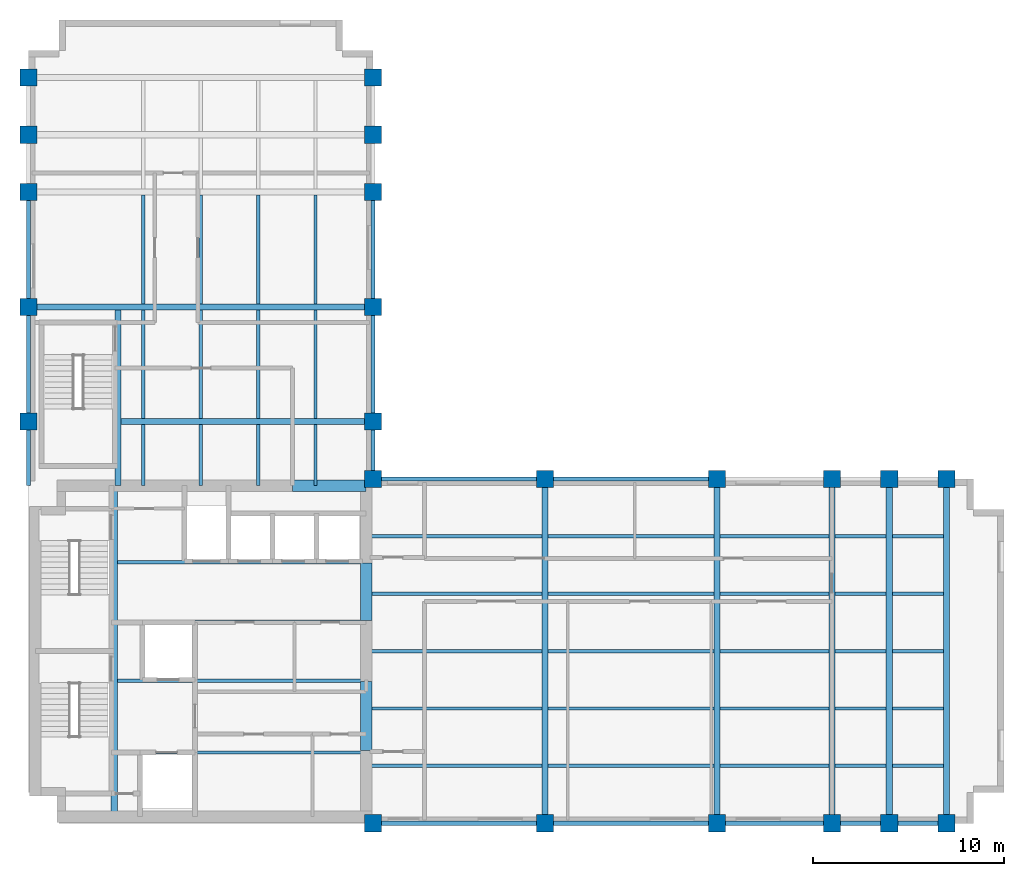
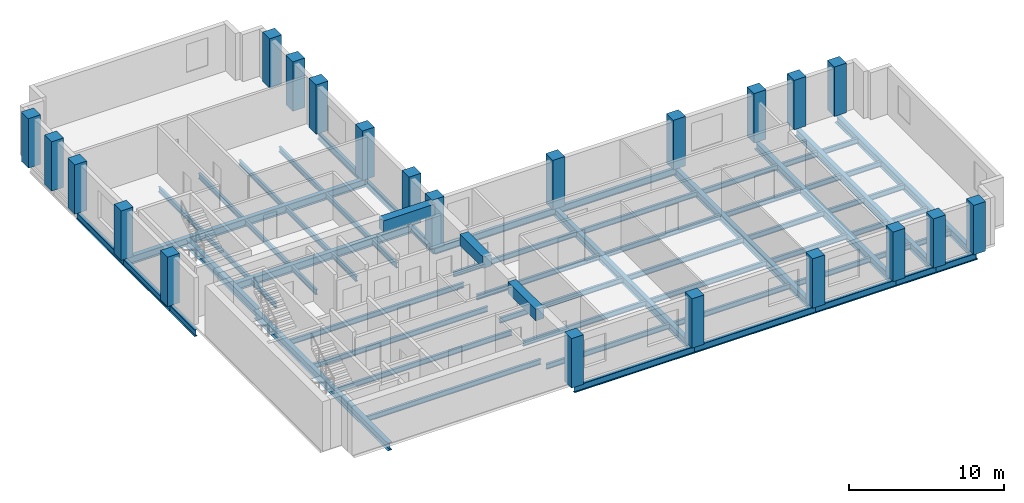
# One storey, part 1 of 6: 66 beams, 22 columns.
"""IFC4 building model written with IfcOpenShell, lengths in metres."""

from ifc_helpers import new_model, si_unit, direction, frame, origin, origin_2d, place, context, subcontext, project, spatial, rectangle, i_section, extrude, material, material_profile, profile_set, type_object, element, save


model = new_model("IFC4")

# Units and contexts
model_context = context("Model", 3, precision=1e-05, world=origin(), true_north=direction((0.0, 1.0)))
body_context = subcontext(model_context, "Body", "Model", "MODEL_VIEW")
ifc_project = project(units=[si_unit("LENGTHUNIT", "METRE"), si_unit("AREAUNIT", "SQUARE_METRE"), si_unit("VOLUMEUNIT", "CUBIC_METRE"), si_unit("PLANEANGLEUNIT", "RADIAN"), si_unit("MASSUNIT", "GRAM", prefix="KILO")], contexts=[model_context])

# Site, building, storey
site_placement = place(None, origin())
site = spatial("IfcSite", under=ifc_project, at=site_placement, CompositionType="ELEMENT")
building_placement = place(site_placement, origin())
building = spatial("IfcBuilding", under=site, at=building_placement, Name="Mawjdan Bourse Tower", CompositionType="ELEMENT")
storey_placement = place(building_placement, frame((0.0, 0.0, 180.0)))
storey = spatial("IfcBuildingStorey", under=building, at=storey_placement, Name="L43", CompositionType="ELEMENT", Elevation=180.0)

# Columns
ifc_material_1 = material(Name="Concrete C70/85", Category="concrete")
ifc_material_profile_1 = material_profile(ifc_material_1, rectangle(XDim=0.89990234375, YDim=0.89990234375, at=origin_2d()), Name="RC900X900")
ifc_profile_set_1 = profile_set([ifc_material_profile_1], Name="Concrete C70/85")
column_type = type_object("IfcColumnType", Name="COL-RC900X900", PredefinedType="COLUMN", material=ifc_profile_set_1)
for number, where, z_axis, x_axis, name in (
    (1, (24.0, 3.0, 0.0), (0.0, 0.0, 1.0), (1.0, 0.0, 0.0), "L43 Structural Column C-X240-Y30"),
    (2, (24.0, 21.0, 0.0), (0.0, 0.0, 1.0), (1.0, 0.0, 0.0), "L43 Structural Column C-X240-Y210"),
    (3, (33.0, 3.0, 0.0), (0.0, 0.0, 1.0), (1.0, 0.0, 0.0), "L43 Structural Column C-X330-Y30"),
    (4, (33.0, 21.0, 0.0), (0.0, 0.0, 1.0), (1.0, 0.0, 0.0), "L43 Structural Column C-X330-Y210"),
    (5, (42.0, 3.0, 0.0), (0.0, 0.0, 1.0), (1.0, 0.0, 0.0), "L43 Structural Column C-X420-Y30"),
    (6, (42.0, 21.0, 0.0), (0.0, 0.0, 1.0), (1.0, 0.0, 0.0), "L43 Structural Column C-X420-Y210"),
    (7, (48.0, 3.0, 0.0), (0.0, 0.0, 1.0), (1.0, 0.0, 0.0), "L43 Structural Column C-X480-Y30"),
    (8, (48.0, 21.0, 0.0), (0.0, 0.0, 1.0), (1.0, 0.0, 0.0), "L43 Structural Column C-X480-Y210"),
    (9, (51.0, 3.0, 0.0), (0.0, 0.0, 1.0), (1.0, 0.0, 0.0), "L43 Structural Column C-X510-Y30"),
    (10, (51.0, 21.0, 0.0), (0.0, 0.0, 1.0), (1.0, 0.0, 0.0), "L43 Structural Column C-X510-Y210"),
    (11, (54.0, 3.0, 0.0), (0.0, 0.0, 1.0), (1.0, 0.0, 0.0), "L43 Structural Column C-X540-Y30"),
    (12, (54.0, 21.0, 0.0), (0.0, 0.0, 1.0), (1.0, 0.0, 0.0), "L43 Structural Column C-X540-Y210"),
    (13, (6.0, 24.0, 0.0), (0.0, 0.0, 1.0), (1.0, 0.0, 0.0), "L43 Structural Column C-X60-Y240"),
    (14, (24.0, 24.0, 0.0), (0.0, 0.0, 1.0), (1.0, 0.0, 0.0), "L43 Structural Column C-X240-Y240"),
    (15, (6.0, 30.0, 0.0), (0.0, 0.0, 1.0), (1.0, 0.0, 0.0), "L43 Structural Column C-X60-Y300"),
    (16, (24.0, 30.0, 0.0), (0.0, 0.0, 1.0), (1.0, 0.0, 0.0), "L43 Structural Column C-X240-Y300"),
    (17, (6.0, 36.0, 0.0), (0.0, 0.0, 1.0), (1.0, 0.0, 0.0), "L43 Structural Column C-X60-Y360"),
    (18, (24.0, 36.0, 0.0), (0.0, 0.0, 1.0), (1.0, 0.0, 0.0), "L43 Structural Column C-X240-Y360"),
    (19, (6.0, 39.0, 0.0), (0.0, 0.0, 1.0), (1.0, 0.0, 0.0), "L43 Structural Column C-X60-Y390"),
    (20, (24.0, 39.0, 0.0), (0.0, 0.0, 1.0), (1.0, 0.0, 0.0), "L43 Structural Column C-X240-Y390"),
    (21, (6.0, 42.0, 0.0), (0.0, 0.0, 1.0), (1.0, 0.0, 0.0), "L43 Structural Column C-X60-Y420"),
    (22, (24.0, 42.0, 0.0), (0.0, 0.0, 1.0), (1.0, 0.0, 0.0), "L43 Structural Column C-X240-Y420"),
):
    element("IfcColumn", number, at=place(storey_placement, frame(where, z_axis=z_axis, x_axis=x_axis)), inside=storey, type_object=column_type, Name=name, PredefinedType="COLUMN", context=body_context, shape_type="SweptSolid", body=[
        extrude(rectangle(XDim=0.89990234375, YDim=0.89990234375, at=origin_2d()), origin(), (0.0, 0.0, 1.0), 3.89990234375),
    ])

# Beams
ifc_material_2 = material(Name="Structural Steel S355", Category="steel")
ifc_material_profile_2 = material_profile(ifc_material_2, i_section(OverallWidth=0.324951171875, OverallDepth=0.616943359375, WebThickness=0.013916015625, FlangeThickness=0.021484375, FilletRadius=0.017333984375, at=origin_2d()), Name="W24X117")
ifc_profile_set_2 = profile_set([ifc_material_profile_2], Name="Structural Steel S355")
beam_type_1 = type_object("IfcBeamType", Name="GRD-W24X117", PredefinedType="BEAM", material=ifc_profile_set_2)
beam_1_placement = place(storey_placement, frame((10.47998046875, 3.35009765625, -0.508544921875), z_axis=(0.0, 1.0, 0.0), x_axis=(-1.0, 0.0, 0.0)))
element("IfcBeam", 23, at=beam_1_placement, inside=storey, type_object=beam_type_1, Name="L43 Core Stair Trimmer Girder 001", PredefinedType="BEAM", context=body_context, shape_type="SweptSolid", body=[
    extrude(i_section(OverallWidth=0.324951171875, OverallDepth=0.616943359375, WebThickness=0.013916015625, FlangeThickness=0.021484375, FilletRadius=0.017333984375, at=origin_2d()), origin(), (0.0, 0.0, 1.0), 17.2998046875),
])
for number, where, z_axis, x_axis, name in (
    (24, (33.0, 3.0, -0.508544921875), (0.0, 1.0, 0.0), (-1.0, 0.0, 0.0), "L43 East Wing Clear-Span Girder 002"),
    (25, (42.0, 3.0, -0.508544921875), (0.0, 1.0, 0.0), (-1.0, 0.0, 0.0), "L43 East Wing Clear-Span Girder 003"),
    (26, (48.0, 3.0, -0.508544921875), (0.0, 1.0, 0.0), (-1.0, 0.0, 0.0), "L43 East Wing Clear-Span Girder 004"),
    (27, (51.0, 3.0, -0.508544921875), (0.0, 1.0, 0.0), (-1.0, 0.0, 0.0), "L43 East Wing Clear-Span Girder 005"),
    (28, (54.0, 3.0, -0.508544921875), (0.0, 1.0, 0.0), (-1.0, 0.0, 0.0), "L43 East Wing Clear-Span Girder 006"),
):
    element("IfcBeam", number, at=place(storey_placement, frame(where, z_axis=z_axis, x_axis=x_axis)), inside=storey, type_object=beam_type_1, Name=name, PredefinedType="BEAM", context=body_context, shape_type="SweptSolid", body=[
        extrude(i_section(OverallWidth=0.324951171875, OverallDepth=0.616943359375, WebThickness=0.013916015625, FlangeThickness=0.021484375, FilletRadius=0.017333984375, at=origin_2d()), origin(), (0.0, 0.0, 1.0), 18.0),
    ])
beam_2_placement = place(storey_placement, frame((10.679931640625, 20.64990234375, -0.508544921875), z_axis=(0.0, 1.0, 0.0), x_axis=(-1.0, 0.0, 0.0)))
element("IfcBeam", 29, at=beam_2_placement, inside=storey, type_object=beam_type_1, Name="L43 North Wing Stair Trimmer Girder 046", PredefinedType="BEAM", context=body_context, shape_type="SweptSolid", body=[
    extrude(i_section(OverallWidth=0.324951171875, OverallDepth=0.616943359375, WebThickness=0.013916015625, FlangeThickness=0.021484375, FilletRadius=0.017333984375, at=origin_2d()), origin(), (0.0, 0.0, 1.0), 9.189697265625),
])
beam_3_placement = place(storey_placement, frame((10.840576171875, 24.0, -0.508544921875), z_axis=(1.0, 0.0, 0.0), x_axis=(0.0, 1.0, 0.0)))
element("IfcBeam", 30, at=beam_3_placement, inside=storey, type_object=beam_type_1, Name="L43 North Wing Clear-Span Girder 047", PredefinedType="BEAM", context=body_context, shape_type="SweptSolid", body=[
    extrude(i_section(OverallWidth=0.324951171875, OverallDepth=0.616943359375, WebThickness=0.013916015625, FlangeThickness=0.021484375, FilletRadius=0.017333984375, at=origin_2d()), origin(), (0.0, 0.0, 1.0), 13.159423828125),
])
beam_4_placement = place(storey_placement, frame((6.0, 30.0, -0.508544921875), z_axis=(1.0, 0.0, 0.0), x_axis=(0.0, 1.0, 0.0)))
element("IfcBeam", 31, at=beam_4_placement, inside=storey, type_object=beam_type_1, Name="L43 North Wing Clear-Span Girder 048", PredefinedType="BEAM", context=body_context, shape_type="SweptSolid", body=[
    extrude(i_section(OverallWidth=0.324951171875, OverallDepth=0.616943359375, WebThickness=0.013916015625, FlangeThickness=0.021484375, FilletRadius=0.017333984375, at=origin_2d()), origin(), (0.0, 0.0, 1.0), 18.0),
])
ifc_material_profile_3 = material_profile(ifc_material_2, i_section(OverallWidth=0.177978515625, OverallDepth=0.406982421875, WebThickness=0.0078125, FlangeThickness=0.0126953125, FilletRadius=0.01025390625, at=origin_2d()), Name="W16X40")
ifc_profile_set_3 = profile_set([ifc_material_profile_3], Name="Structural Steel S355")
beam_type_2 = type_object("IfcBeamType", Name="JST-W16X40", PredefinedType="JOIST", material=ifc_profile_set_3)
beam_5_placement = place(storey_placement, frame((23.64990234375, 6.0, -0.403564453125), z_axis=(1.0, 0.0, 0.0), x_axis=(0.0, 1.0, 0.0)))
element("IfcBeam", 32, at=beam_5_placement, inside=storey, type_object=beam_type_2, Name="L43 East Wing Composite Joist 017", PredefinedType="JOIST", context=body_context, shape_type="SweptSolid", body=[
    extrude(i_section(OverallWidth=0.177978515625, OverallDepth=0.406982421875, WebThickness=0.0078125, FlangeThickness=0.0126953125, FilletRadius=0.01025390625, at=origin_2d()), origin(), (0.0, 0.0, 1.0), 9.189697265625),
])
beam_6_placement = place(storey_placement, frame((33.160400390625, 6.0, -0.403564453125), z_axis=(1.0, 0.0, 0.0), x_axis=(0.0, 1.0, 0.0)))
element("IfcBeam", 33, at=beam_6_placement, inside=storey, type_object=beam_type_2, Name="L43 East Wing Composite Joist 018", PredefinedType="JOIST", context=body_context, shape_type="SweptSolid", body=[
    extrude(i_section(OverallWidth=0.177978515625, OverallDepth=0.406982421875, WebThickness=0.0078125, FlangeThickness=0.0126953125, FilletRadius=0.01025390625, at=origin_2d()), origin(), (0.0, 0.0, 1.0), 8.67919921875),
])
beam_7_placement = place(storey_placement, frame((42.160400390625, 6.0, -0.403564453125), z_axis=(1.0, 0.0, 0.0), x_axis=(0.0, 1.0, 0.0)))
element("IfcBeam", 34, at=beam_7_placement, inside=storey, type_object=beam_type_2, Name="L43 East Wing Composite Joist 019", PredefinedType="JOIST", context=body_context, shape_type="SweptSolid", body=[
    extrude(i_section(OverallWidth=0.177978515625, OverallDepth=0.406982421875, WebThickness=0.0078125, FlangeThickness=0.0126953125, FilletRadius=0.01025390625, at=origin_2d()), origin(), (0.0, 0.0, 1.0), 5.67919921875),
])
for number, where, z_axis, x_axis, name in (
    (35, (48.160400390625, 6.0, -0.403564453125), (1.0, 0.0, 0.0), (0.0, 1.0, 0.0), "L43 East Wing Composite Joist 020"),
    (36, (51.160400390625, 6.0, -0.403564453125), (1.0, 0.0, 0.0), (0.0, 1.0, 0.0), "L43 East Wing Composite Joist 021"),
):
    element("IfcBeam", number, at=place(storey_placement, frame(where, z_axis=z_axis, x_axis=x_axis)), inside=storey, type_object=beam_type_2, Name=name, PredefinedType="JOIST", context=body_context, shape_type="SweptSolid", body=[
        extrude(i_section(OverallWidth=0.177978515625, OverallDepth=0.406982421875, WebThickness=0.0078125, FlangeThickness=0.0126953125, FilletRadius=0.01025390625, at=origin_2d()), origin(), (0.0, 0.0, 1.0), 2.67919921875),
    ])
beam_8_placement = place(storey_placement, frame((23.64990234375, 9.0, -0.403564453125), z_axis=(1.0, 0.0, 0.0), x_axis=(0.0, 1.0, 0.0)))
element("IfcBeam", 37, at=beam_8_placement, inside=storey, type_object=beam_type_2, Name="L43 East Wing Composite Joist 022", PredefinedType="JOIST", context=body_context, shape_type="SweptSolid", body=[
    extrude(i_section(OverallWidth=0.177978515625, OverallDepth=0.406982421875, WebThickness=0.0078125, FlangeThickness=0.0126953125, FilletRadius=0.01025390625, at=origin_2d()), origin(), (0.0, 0.0, 1.0), 9.189697265625),
])
beam_9_placement = place(storey_placement, frame((33.160400390625, 9.0, -0.403564453125), z_axis=(1.0, 0.0, 0.0), x_axis=(0.0, 1.0, 0.0)))
element("IfcBeam", 38, at=beam_9_placement, inside=storey, type_object=beam_type_2, Name="L43 East Wing Composite Joist 023", PredefinedType="JOIST", context=body_context, shape_type="SweptSolid", body=[
    extrude(i_section(OverallWidth=0.177978515625, OverallDepth=0.406982421875, WebThickness=0.0078125, FlangeThickness=0.0126953125, FilletRadius=0.01025390625, at=origin_2d()), origin(), (0.0, 0.0, 1.0), 8.67919921875),
])
beam_10_placement = place(storey_placement, frame((42.160400390625, 9.0, -0.403564453125), z_axis=(1.0, 0.0, 0.0), x_axis=(0.0, 1.0, 0.0)))
element("IfcBeam", 39, at=beam_10_placement, inside=storey, type_object=beam_type_2, Name="L43 East Wing Composite Joist 024", PredefinedType="JOIST", context=body_context, shape_type="SweptSolid", body=[
    extrude(i_section(OverallWidth=0.177978515625, OverallDepth=0.406982421875, WebThickness=0.0078125, FlangeThickness=0.0126953125, FilletRadius=0.01025390625, at=origin_2d()), origin(), (0.0, 0.0, 1.0), 5.67919921875),
])
for number, where, z_axis, x_axis, name in (
    (40, (48.160400390625, 9.0, -0.403564453125), (1.0, 0.0, 0.0), (0.0, 1.0, 0.0), "L43 East Wing Composite Joist 025"),
    (41, (51.160400390625, 9.0, -0.403564453125), (1.0, 0.0, 0.0), (0.0, 1.0, 0.0), "L43 East Wing Composite Joist 026"),
):
    element("IfcBeam", number, at=place(storey_placement, frame(where, z_axis=z_axis, x_axis=x_axis)), inside=storey, type_object=beam_type_2, Name=name, PredefinedType="JOIST", context=body_context, shape_type="SweptSolid", body=[
        extrude(i_section(OverallWidth=0.177978515625, OverallDepth=0.406982421875, WebThickness=0.0078125, FlangeThickness=0.0126953125, FilletRadius=0.01025390625, at=origin_2d()), origin(), (0.0, 0.0, 1.0), 2.67919921875),
    ])
beam_11_placement = place(storey_placement, frame((23.64990234375, 12.0, -0.403564453125), z_axis=(1.0, 0.0, 0.0), x_axis=(0.0, 1.0, 0.0)))
element("IfcBeam", 42, at=beam_11_placement, inside=storey, type_object=beam_type_2, Name="L43 East Wing Composite Joist 027", PredefinedType="JOIST", context=body_context, shape_type="SweptSolid", body=[
    extrude(i_section(OverallWidth=0.177978515625, OverallDepth=0.406982421875, WebThickness=0.0078125, FlangeThickness=0.0126953125, FilletRadius=0.01025390625, at=origin_2d()), origin(), (0.0, 0.0, 1.0), 9.189697265625),
])
beam_12_placement = place(storey_placement, frame((33.160400390625, 12.0, -0.403564453125), z_axis=(1.0, 0.0, 0.0), x_axis=(0.0, 1.0, 0.0)))
element("IfcBeam", 43, at=beam_12_placement, inside=storey, type_object=beam_type_2, Name="L43 East Wing Composite Joist 028", PredefinedType="JOIST", context=body_context, shape_type="SweptSolid", body=[
    extrude(i_section(OverallWidth=0.177978515625, OverallDepth=0.406982421875, WebThickness=0.0078125, FlangeThickness=0.0126953125, FilletRadius=0.01025390625, at=origin_2d()), origin(), (0.0, 0.0, 1.0), 8.67919921875),
])
beam_13_placement = place(storey_placement, frame((42.160400390625, 12.0, -0.403564453125), z_axis=(1.0, 0.0, 0.0), x_axis=(0.0, 1.0, 0.0)))
element("IfcBeam", 44, at=beam_13_placement, inside=storey, type_object=beam_type_2, Name="L43 East Wing Composite Joist 029", PredefinedType="JOIST", context=body_context, shape_type="SweptSolid", body=[
    extrude(i_section(OverallWidth=0.177978515625, OverallDepth=0.406982421875, WebThickness=0.0078125, FlangeThickness=0.0126953125, FilletRadius=0.01025390625, at=origin_2d()), origin(), (0.0, 0.0, 1.0), 5.67919921875),
])
for number, where, z_axis, x_axis, name in (
    (45, (48.160400390625, 12.0, -0.403564453125), (1.0, 0.0, 0.0), (0.0, 1.0, 0.0), "L43 East Wing Composite Joist 030"),
    (46, (51.160400390625, 12.0, -0.403564453125), (1.0, 0.0, 0.0), (0.0, 1.0, 0.0), "L43 East Wing Composite Joist 031"),
):
    element("IfcBeam", number, at=place(storey_placement, frame(where, z_axis=z_axis, x_axis=x_axis)), inside=storey, type_object=beam_type_2, Name=name, PredefinedType="JOIST", context=body_context, shape_type="SweptSolid", body=[
        extrude(i_section(OverallWidth=0.177978515625, OverallDepth=0.406982421875, WebThickness=0.0078125, FlangeThickness=0.0126953125, FilletRadius=0.01025390625, at=origin_2d()), origin(), (0.0, 0.0, 1.0), 2.67919921875),
    ])
beam_14_placement = place(storey_placement, frame((23.64990234375, 15.0, -0.403564453125), z_axis=(1.0, 0.0, 0.0), x_axis=(0.0, 1.0, 0.0)))
element("IfcBeam", 47, at=beam_14_placement, inside=storey, type_object=beam_type_2, Name="L43 East Wing Composite Joist 032", PredefinedType="JOIST", context=body_context, shape_type="SweptSolid", body=[
    extrude(i_section(OverallWidth=0.177978515625, OverallDepth=0.406982421875, WebThickness=0.0078125, FlangeThickness=0.0126953125, FilletRadius=0.01025390625, at=origin_2d()), origin(), (0.0, 0.0, 1.0), 9.189697265625),
])
beam_15_placement = place(storey_placement, frame((33.160400390625, 15.0, -0.403564453125), z_axis=(1.0, 0.0, 0.0), x_axis=(0.0, 1.0, 0.0)))
element("IfcBeam", 48, at=beam_15_placement, inside=storey, type_object=beam_type_2, Name="L43 East Wing Composite Joist 033", PredefinedType="JOIST", context=body_context, shape_type="SweptSolid", body=[
    extrude(i_section(OverallWidth=0.177978515625, OverallDepth=0.406982421875, WebThickness=0.0078125, FlangeThickness=0.0126953125, FilletRadius=0.01025390625, at=origin_2d()), origin(), (0.0, 0.0, 1.0), 8.67919921875),
])
beam_16_placement = place(storey_placement, frame((42.160400390625, 15.0, -0.403564453125), z_axis=(1.0, 0.0, 0.0), x_axis=(0.0, 1.0, 0.0)))
element("IfcBeam", 49, at=beam_16_placement, inside=storey, type_object=beam_type_2, Name="L43 East Wing Composite Joist 034", PredefinedType="JOIST", context=body_context, shape_type="SweptSolid", body=[
    extrude(i_section(OverallWidth=0.177978515625, OverallDepth=0.406982421875, WebThickness=0.0078125, FlangeThickness=0.0126953125, FilletRadius=0.01025390625, at=origin_2d()), origin(), (0.0, 0.0, 1.0), 5.67919921875),
])
for number, where, z_axis, x_axis, name in (
    (50, (48.160400390625, 15.0, -0.403564453125), (1.0, 0.0, 0.0), (0.0, 1.0, 0.0), "L43 East Wing Composite Joist 035"),
    (51, (51.160400390625, 15.0, -0.403564453125), (1.0, 0.0, 0.0), (0.0, 1.0, 0.0), "L43 East Wing Composite Joist 036"),
):
    element("IfcBeam", number, at=place(storey_placement, frame(where, z_axis=z_axis, x_axis=x_axis)), inside=storey, type_object=beam_type_2, Name=name, PredefinedType="JOIST", context=body_context, shape_type="SweptSolid", body=[
        extrude(i_section(OverallWidth=0.177978515625, OverallDepth=0.406982421875, WebThickness=0.0078125, FlangeThickness=0.0126953125, FilletRadius=0.01025390625, at=origin_2d()), origin(), (0.0, 0.0, 1.0), 2.67919921875),
    ])
beam_17_placement = place(storey_placement, frame((23.64990234375, 18.0, -0.403564453125), z_axis=(1.0, 0.0, 0.0), x_axis=(0.0, 1.0, 0.0)))
element("IfcBeam", 52, at=beam_17_placement, inside=storey, type_object=beam_type_2, Name="L43 East Wing Composite Joist 037", PredefinedType="JOIST", context=body_context, shape_type="SweptSolid", body=[
    extrude(i_section(OverallWidth=0.177978515625, OverallDepth=0.406982421875, WebThickness=0.0078125, FlangeThickness=0.0126953125, FilletRadius=0.01025390625, at=origin_2d()), origin(), (0.0, 0.0, 1.0), 9.189697265625),
])
beam_18_placement = place(storey_placement, frame((33.160400390625, 18.0, -0.403564453125), z_axis=(1.0, 0.0, 0.0), x_axis=(0.0, 1.0, 0.0)))
element("IfcBeam", 53, at=beam_18_placement, inside=storey, type_object=beam_type_2, Name="L43 East Wing Composite Joist 038", PredefinedType="JOIST", context=body_context, shape_type="SweptSolid", body=[
    extrude(i_section(OverallWidth=0.177978515625, OverallDepth=0.406982421875, WebThickness=0.0078125, FlangeThickness=0.0126953125, FilletRadius=0.01025390625, at=origin_2d()), origin(), (0.0, 0.0, 1.0), 8.67919921875),
])
beam_19_placement = place(storey_placement, frame((42.160400390625, 18.0, -0.403564453125), z_axis=(1.0, 0.0, 0.0), x_axis=(0.0, 1.0, 0.0)))
element("IfcBeam", 54, at=beam_19_placement, inside=storey, type_object=beam_type_2, Name="L43 East Wing Composite Joist 039", PredefinedType="JOIST", context=body_context, shape_type="SweptSolid", body=[
    extrude(i_section(OverallWidth=0.177978515625, OverallDepth=0.406982421875, WebThickness=0.0078125, FlangeThickness=0.0126953125, FilletRadius=0.01025390625, at=origin_2d()), origin(), (0.0, 0.0, 1.0), 5.67919921875),
])
for number, where, z_axis, x_axis, name in (
    (55, (48.160400390625, 18.0, -0.403564453125), (1.0, 0.0, 0.0), (0.0, 1.0, 0.0), "L43 East Wing Composite Joist 040"),
    (56, (51.160400390625, 18.0, -0.403564453125), (1.0, 0.0, 0.0), (0.0, 1.0, 0.0), "L43 East Wing Composite Joist 041"),
):
    element("IfcBeam", number, at=place(storey_placement, frame(where, z_axis=z_axis, x_axis=x_axis)), inside=storey, type_object=beam_type_2, Name=name, PredefinedType="JOIST", context=body_context, shape_type="SweptSolid", body=[
        extrude(i_section(OverallWidth=0.177978515625, OverallDepth=0.406982421875, WebThickness=0.0078125, FlangeThickness=0.0126953125, FilletRadius=0.01025390625, at=origin_2d()), origin(), (0.0, 0.0, 1.0), 2.67919921875),
    ])
for number, where, z_axis, x_axis, name in (
    (57, (10.640380859375, 6.699951171875, -0.403564453125), (1.0, 0.0, 0.0), (0.0, 1.0, 0.0), "L43 Core Floor Joist 042"),
    (58, (10.640380859375, 10.449951171875, -0.403564453125), (1.0, 0.0, 0.0), (0.0, 1.0, 0.0), "L43 Core Floor Joist 043"),
    (59, (10.640380859375, 13.550048828125, -0.403564453125), (1.0, 0.0, 0.0), (0.0, 1.0, 0.0), "L43 Core Floor Joist 044"),
    (60, (10.640380859375, 16.64990234375, -0.403564453125), (1.0, 0.0, 0.0), (0.0, 1.0, 0.0), "L43 Core Floor Joist 045"),
):
    element("IfcBeam", number, at=place(storey_placement, frame(where, z_axis=z_axis, x_axis=x_axis)), inside=storey, type_object=beam_type_2, Name=name, PredefinedType="JOIST", context=body_context, shape_type="SweptSolid", body=[
        extrude(i_section(OverallWidth=0.177978515625, OverallDepth=0.406982421875, WebThickness=0.0078125, FlangeThickness=0.0126953125, FilletRadius=0.01025390625, at=origin_2d()), origin(), (0.0, 0.0, 1.0), 13.009521484375),
    ])
beam_20_placement = place(storey_placement, frame((12.0, 20.64990234375, -0.403564453125), z_axis=(0.0, 1.0, 0.0), x_axis=(-1.0, 0.0, 0.0)))
element("IfcBeam", 61, at=beam_20_placement, inside=storey, type_object=beam_type_2, Name="L43 North Wing Composite Joist 062", PredefinedType="JOIST", context=body_context, shape_type="SweptSolid", body=[
    extrude(i_section(OverallWidth=0.177978515625, OverallDepth=0.406982421875, WebThickness=0.0078125, FlangeThickness=0.0126953125, FilletRadius=0.01025390625, at=origin_2d()), origin(), (0.0, 0.0, 1.0), 3.189697265625),
])
for number, where, z_axis, x_axis, name in (
    (62, (12.0, 24.160400390625, -0.403564453125), (0.0, 1.0, 0.0), (-1.0, 0.0, 0.0), "L43 North Wing Composite Joist 063"),
    (63, (12.0, 30.160400390625, -0.403564453125), (0.0, 1.0, 0.0), (-1.0, 0.0, 0.0), "L43 North Wing Composite Joist 064"),
):
    element("IfcBeam", number, at=place(storey_placement, frame(where, z_axis=z_axis, x_axis=x_axis)), inside=storey, type_object=beam_type_2, Name=name, PredefinedType="JOIST", context=body_context, shape_type="SweptSolid", body=[
        extrude(i_section(OverallWidth=0.177978515625, OverallDepth=0.406982421875, WebThickness=0.0078125, FlangeThickness=0.0126953125, FilletRadius=0.01025390625, at=origin_2d()), origin(), (0.0, 0.0, 1.0), 5.67919921875),
    ])
beam_21_placement = place(storey_placement, frame((15.0, 20.64990234375, -0.403564453125), z_axis=(0.0, 1.0, 0.0), x_axis=(-1.0, 0.0, 0.0)))
element("IfcBeam", 64, at=beam_21_placement, inside=storey, type_object=beam_type_2, Name="L43 North Wing Composite Joist 067", PredefinedType="JOIST", context=body_context, shape_type="SweptSolid", body=[
    extrude(i_section(OverallWidth=0.177978515625, OverallDepth=0.406982421875, WebThickness=0.0078125, FlangeThickness=0.0126953125, FilletRadius=0.01025390625, at=origin_2d()), origin(), (0.0, 0.0, 1.0), 3.189697265625),
])
for number, where, z_axis, x_axis, name in (
    (65, (15.0, 24.160400390625, -0.403564453125), (0.0, 1.0, 0.0), (-1.0, 0.0, 0.0), "L43 North Wing Composite Joist 068"),
    (66, (15.0, 30.160400390625, -0.403564453125), (0.0, 1.0, 0.0), (-1.0, 0.0, 0.0), "L43 North Wing Composite Joist 069"),
):
    element("IfcBeam", number, at=place(storey_placement, frame(where, z_axis=z_axis, x_axis=x_axis)), inside=storey, type_object=beam_type_2, Name=name, PredefinedType="JOIST", context=body_context, shape_type="SweptSolid", body=[
        extrude(i_section(OverallWidth=0.177978515625, OverallDepth=0.406982421875, WebThickness=0.0078125, FlangeThickness=0.0126953125, FilletRadius=0.01025390625, at=origin_2d()), origin(), (0.0, 0.0, 1.0), 5.67919921875),
    ])
beam_22_placement = place(storey_placement, frame((18.0, 20.64990234375, -0.403564453125), z_axis=(0.0, 1.0, 0.0), x_axis=(-1.0, 0.0, 0.0)))
element("IfcBeam", 67, at=beam_22_placement, inside=storey, type_object=beam_type_2, Name="L43 North Wing Composite Joist 072", PredefinedType="JOIST", context=body_context, shape_type="SweptSolid", body=[
    extrude(i_section(OverallWidth=0.177978515625, OverallDepth=0.406982421875, WebThickness=0.0078125, FlangeThickness=0.0126953125, FilletRadius=0.01025390625, at=origin_2d()), origin(), (0.0, 0.0, 1.0), 3.189697265625),
])
for number, where, z_axis, x_axis, name in (
    (68, (18.0, 24.160400390625, -0.403564453125), (0.0, 1.0, 0.0), (-1.0, 0.0, 0.0), "L43 North Wing Composite Joist 073"),
    (69, (18.0, 30.160400390625, -0.403564453125), (0.0, 1.0, 0.0), (-1.0, 0.0, 0.0), "L43 North Wing Composite Joist 074"),
):
    element("IfcBeam", number, at=place(storey_placement, frame(where, z_axis=z_axis, x_axis=x_axis)), inside=storey, type_object=beam_type_2, Name=name, PredefinedType="JOIST", context=body_context, shape_type="SweptSolid", body=[
        extrude(i_section(OverallWidth=0.177978515625, OverallDepth=0.406982421875, WebThickness=0.0078125, FlangeThickness=0.0126953125, FilletRadius=0.01025390625, at=origin_2d()), origin(), (0.0, 0.0, 1.0), 5.67919921875),
    ])
beam_23_placement = place(storey_placement, frame((21.0, 20.64990234375, -0.403564453125), z_axis=(0.0, 1.0, 0.0), x_axis=(-1.0, 0.0, 0.0)))
element("IfcBeam", 70, at=beam_23_placement, inside=storey, type_object=beam_type_2, Name="L43 North Wing Composite Joist 077", PredefinedType="JOIST", context=body_context, shape_type="SweptSolid", body=[
    extrude(i_section(OverallWidth=0.177978515625, OverallDepth=0.406982421875, WebThickness=0.0078125, FlangeThickness=0.0126953125, FilletRadius=0.01025390625, at=origin_2d()), origin(), (0.0, 0.0, 1.0), 3.189697265625),
])
for number, where, z_axis, x_axis, name in (
    (71, (21.0, 24.160400390625, -0.403564453125), (0.0, 1.0, 0.0), (-1.0, 0.0, 0.0), "L43 North Wing Composite Joist 078"),
    (72, (21.0, 30.160400390625, -0.403564453125), (0.0, 1.0, 0.0), (-1.0, 0.0, 0.0), "L43 North Wing Composite Joist 079"),
):
    element("IfcBeam", number, at=place(storey_placement, frame(where, z_axis=z_axis, x_axis=x_axis)), inside=storey, type_object=beam_type_2, Name=name, PredefinedType="JOIST", context=body_context, shape_type="SweptSolid", body=[
        extrude(i_section(OverallWidth=0.177978515625, OverallDepth=0.406982421875, WebThickness=0.0078125, FlangeThickness=0.0126953125, FilletRadius=0.01025390625, at=origin_2d()), origin(), (0.0, 0.0, 1.0), 5.67919921875),
    ])
ifc_material_profile_4 = material_profile(ifc_material_1, rectangle(XDim=0.60009765625, YDim=0.89990234375, at=origin_2d()), Name="RCB600X900")
ifc_profile_set_4 = profile_set([ifc_material_profile_4], Name="Concrete C70/85")
beam_type_3 = type_object("IfcBeamType", Name="LNT-RCB600X900", PredefinedType="LINTEL", material=ifc_profile_set_4)
beam_24_placement = place(storey_placement, frame((23.64990234375, 6.800048828125, 3.25), z_axis=(0.0, 1.0, 0.0), x_axis=(-1.0, 0.0, 0.0)))
element("IfcBeam", 73, at=beam_24_placement, inside=storey, type_object=beam_type_3, Name="L43 Coupled Core Lintel CB-E1", PredefinedType="LINTEL", context=body_context, shape_type="SweptSolid", body=[
    extrude(rectangle(XDim=0.60009765625, YDim=0.89990234375, at=origin_2d()), origin(), (0.0, 0.0, 1.0), 3.599853515625),
])
beam_25_placement = place(storey_placement, frame((23.64990234375, 13.60009765625, 3.25), z_axis=(0.0, 1.0, 0.0), x_axis=(-1.0, 0.0, 0.0)))
element("IfcBeam", 74, at=beam_25_placement, inside=storey, type_object=beam_type_3, Name="L43 Coupled Core Lintel CB-E2", PredefinedType="LINTEL", context=body_context, shape_type="SweptSolid", body=[
    extrude(rectangle(XDim=0.60009765625, YDim=0.89990234375, at=origin_2d()), origin(), (0.0, 0.0, 1.0), 3.0),
])
beam_26_placement = place(storey_placement, frame((19.800048828125, 20.64990234375, 3.25), z_axis=(1.0, 0.0, 0.0), x_axis=(0.0, 1.0, 0.0)))
element("IfcBeam", 75, at=beam_26_placement, inside=storey, type_object=beam_type_3, Name="L43 Coupled Core Lintel CB-N1", PredefinedType="LINTEL", context=body_context, shape_type="SweptSolid", body=[
    extrude(rectangle(XDim=0.60009765625, YDim=0.89990234375, at=origin_2d()), origin(), (0.0, 0.0, 1.0), 3.849853515625),
])
ifc_material_profile_5 = material_profile(ifc_material_2, i_section(OverallWidth=0.2119140625, OverallDepth=0.5439453125, WebThickness=0.01318359375, FlangeThickness=0.021240234375, FilletRadius=0.01708984375, at=origin_2d()), Name="W21X83")
ifc_profile_set_5 = profile_set([ifc_material_profile_5], Name="Structural Steel S355")
beam_type_4 = type_object("IfcBeamType", Name="SPN-W21X83", PredefinedType="SPANDREL", material=ifc_profile_set_5)
for number, where, z_axis, x_axis, name in (
    (76, (24.0, 3.0, -0.471923828125), (1.0, 0.0, 0.0), (0.0, 1.0, 0.0), "L43 Perimeter Masonry-Shelf Spandrel 007"),
    (77, (33.0, 3.0, -0.471923828125), (1.0, 0.0, 0.0), (0.0, 1.0, 0.0), "L43 Perimeter Masonry-Shelf Spandrel 008"),
):
    element("IfcBeam", number, at=place(storey_placement, frame(where, z_axis=z_axis, x_axis=x_axis)), inside=storey, type_object=beam_type_4, Name=name, PredefinedType="SPANDREL", context=body_context, shape_type="SweptSolid", body=[
        extrude(i_section(OverallWidth=0.2119140625, OverallDepth=0.5439453125, WebThickness=0.01318359375, FlangeThickness=0.021240234375, FilletRadius=0.01708984375, at=origin_2d()), origin(), (0.0, 0.0, 1.0), 9.0),
    ])
beam_27_placement = place(storey_placement, frame((42.0, 3.0, -0.471923828125), z_axis=(1.0, 0.0, 0.0), x_axis=(0.0, 1.0, 0.0)))
element("IfcBeam", 78, at=beam_27_placement, inside=storey, type_object=beam_type_4, Name="L43 Perimeter Masonry-Shelf Spandrel 009", PredefinedType="SPANDREL", context=body_context, shape_type="SweptSolid", body=[
    extrude(i_section(OverallWidth=0.2119140625, OverallDepth=0.5439453125, WebThickness=0.01318359375, FlangeThickness=0.021240234375, FilletRadius=0.01708984375, at=origin_2d()), origin(), (0.0, 0.0, 1.0), 6.0),
])
for number, where, z_axis, x_axis, name in (
    (79, (48.0, 3.0, -0.471923828125), (1.0, 0.0, 0.0), (0.0, 1.0, 0.0), "L43 Perimeter Masonry-Shelf Spandrel 010"),
    (80, (51.0, 3.0, -0.471923828125), (1.0, 0.0, 0.0), (0.0, 1.0, 0.0), "L43 Perimeter Masonry-Shelf Spandrel 011"),
):
    element("IfcBeam", number, at=place(storey_placement, frame(where, z_axis=z_axis, x_axis=x_axis)), inside=storey, type_object=beam_type_4, Name=name, PredefinedType="SPANDREL", context=body_context, shape_type="SweptSolid", body=[
        extrude(i_section(OverallWidth=0.2119140625, OverallDepth=0.5439453125, WebThickness=0.01318359375, FlangeThickness=0.021240234375, FilletRadius=0.01708984375, at=origin_2d()), origin(), (0.0, 0.0, 1.0), 3.0),
    ])
for number, where, z_axis, x_axis, name in (
    (81, (24.0, 21.0, -0.471923828125), (1.0, 0.0, 0.0), (0.0, 1.0, 0.0), "L43 Perimeter Masonry-Shelf Spandrel 012"),
    (82, (33.0, 21.0, -0.471923828125), (1.0, 0.0, 0.0), (0.0, 1.0, 0.0), "L43 Perimeter Masonry-Shelf Spandrel 013"),
):
    element("IfcBeam", number, at=place(storey_placement, frame(where, z_axis=z_axis, x_axis=x_axis)), inside=storey, type_object=beam_type_4, Name=name, PredefinedType="SPANDREL", context=body_context, shape_type="SweptSolid", body=[
        extrude(i_section(OverallWidth=0.2119140625, OverallDepth=0.5439453125, WebThickness=0.01318359375, FlangeThickness=0.021240234375, FilletRadius=0.01708984375, at=origin_2d()), origin(), (0.0, 0.0, 1.0), 9.0),
    ])
beam_28_placement = place(storey_placement, frame((6.0, 20.64990234375, -0.471923828125), z_axis=(0.0, 1.0, 0.0), x_axis=(-1.0, 0.0, 0.0)))
element("IfcBeam", 83, at=beam_28_placement, inside=storey, type_object=beam_type_4, Name="L43 North Wing Spandrel 052", PredefinedType="SPANDREL", context=body_context, shape_type="SweptSolid", body=[
    extrude(i_section(OverallWidth=0.2119140625, OverallDepth=0.5439453125, WebThickness=0.01318359375, FlangeThickness=0.021240234375, FilletRadius=0.01708984375, at=origin_2d()), origin(), (0.0, 0.0, 1.0), 3.35009765625),
])
for number, where, z_axis, x_axis, name in (
    (84, (6.0, 24.0, -0.471923828125), (0.0, 1.0, 0.0), (-1.0, 0.0, 0.0), "L43 North Wing Spandrel 053"),
    (85, (6.0, 30.0, -0.471923828125), (0.0, 1.0, 0.0), (-1.0, 0.0, 0.0), "L43 North Wing Spandrel 054"),
):
    element("IfcBeam", number, at=place(storey_placement, frame(where, z_axis=z_axis, x_axis=x_axis)), inside=storey, type_object=beam_type_4, Name=name, PredefinedType="SPANDREL", context=body_context, shape_type="SweptSolid", body=[
        extrude(i_section(OverallWidth=0.2119140625, OverallDepth=0.5439453125, WebThickness=0.01318359375, FlangeThickness=0.021240234375, FilletRadius=0.01708984375, at=origin_2d()), origin(), (0.0, 0.0, 1.0), 6.0),
    ])
beam_29_placement = place(storey_placement, frame((24.0, 21.0, -0.471923828125), z_axis=(0.0, 1.0, 0.0), x_axis=(-1.0, 0.0, 0.0)))
element("IfcBeam", 86, at=beam_29_placement, inside=storey, type_object=beam_type_4, Name="L43 North Wing Spandrel 057", PredefinedType="SPANDREL", context=body_context, shape_type="SweptSolid", body=[
    extrude(i_section(OverallWidth=0.2119140625, OverallDepth=0.5439453125, WebThickness=0.01318359375, FlangeThickness=0.021240234375, FilletRadius=0.01708984375, at=origin_2d()), origin(), (0.0, 0.0, 1.0), 3.0),
])
for number, where, z_axis, x_axis, name in (
    (87, (24.0, 24.0, -0.471923828125), (0.0, 1.0, 0.0), (-1.0, 0.0, 0.0), "L43 North Wing Spandrel 058"),
    (88, (24.0, 30.0, -0.471923828125), (0.0, 1.0, 0.0), (-1.0, 0.0, 0.0), "L43 North Wing Spandrel 059"),
):
    element("IfcBeam", number, at=place(storey_placement, frame(where, z_axis=z_axis, x_axis=x_axis)), inside=storey, type_object=beam_type_4, Name=name, PredefinedType="SPANDREL", context=body_context, shape_type="SweptSolid", body=[
        extrude(i_section(OverallWidth=0.2119140625, OverallDepth=0.5439453125, WebThickness=0.01318359375, FlangeThickness=0.021240234375, FilletRadius=0.01708984375, at=origin_2d()), origin(), (0.0, 0.0, 1.0), 6.0),
    ])

save(model, "model.ifc")
